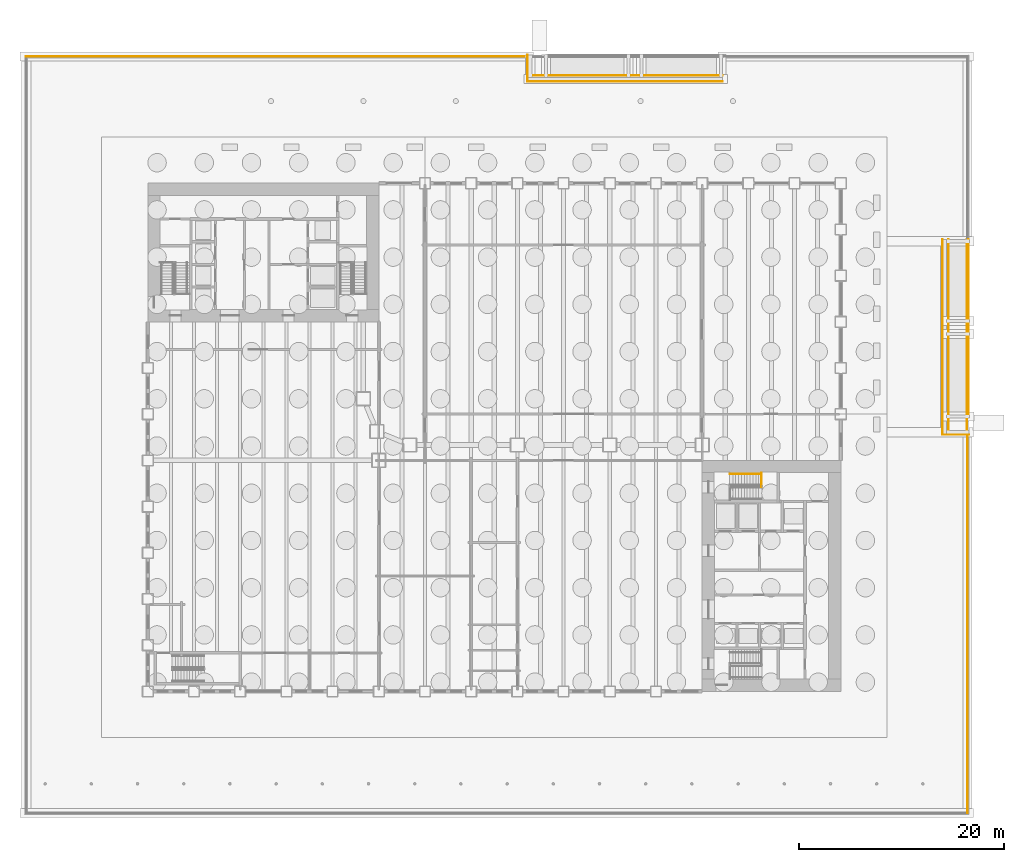
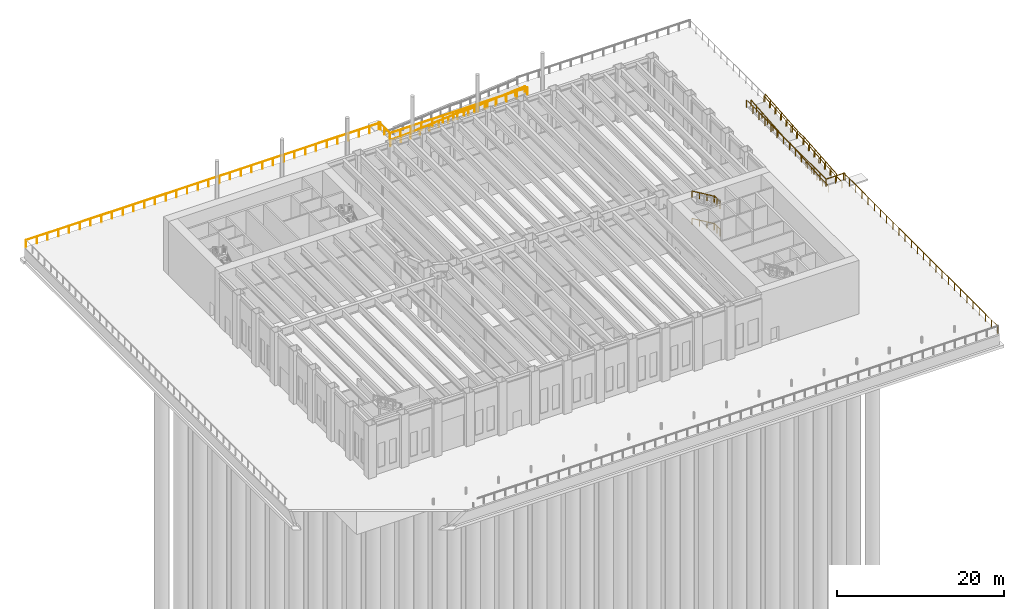
# One storey, part 21 of 26: 12 railings.
"""IFC4 building model written with IfcOpenShell, lengths in metres."""

import ifcopenshell
import ifcopenshell.guid

model = None  # the IFC model being written
_history = None  # IfcOwnerHistory: only IFC2X3 demands one
_inside = {}  # id of a spatial element -> (the spatial element, [elements in it])
_under = {}  # id of a project, library or spatial element -> (it, [spatial elements below it])
_declared = {}  # id of a project -> (the project, [libraries it declares])
_typed = {}  # id of a type object -> (the type object, [elements of that type])
_made_of = {}  # id of a material, layer set ... -> (it, [elements and type objects made of it])


def new_model(schema):
    """Start an empty IFC model of exactly this schema.

    Asked for "IFC4X3", IfcOpenShell would pick the latest addendum, in which some entities
    have other attributes; the version numbers below select the first issue.
    IFC2X3 requires an IfcOwnerHistory on every rooted entity: one is made here for all.
    """
    global model, _history
    if schema == "IFC4X3":
        model = ifcopenshell.file(schema_version=(4, 3, 0, 0))
    else:
        model = ifcopenshell.file(schema=schema)
    _inside.clear()
    _under.clear()
    _declared.clear()
    _typed.clear()
    _made_of.clear()
    _history = None
    if model.schema == "IFC2X3":
        org = make("IfcOrganization", Name="unknown")
        user = make(
            "IfcPersonAndOrganization",
            ThePerson=make("IfcPerson", FamilyName="unknown"),
            TheOrganization=org,
        )
        app = make(
            "IfcApplication",
            ApplicationDeveloper=org,
            Version="unknown",
            ApplicationFullName="unknown",
            ApplicationIdentifier="unknown",
        )
        _history = make(
            "IfcOwnerHistory",
            OwningUser=user,
            OwningApplication=app,
            ChangeAction="ADDED",
            CreationDate=0,
        )
    return model


def make(cls, **values):
    """One entity of the class cls with the attributes given. An attribute that is None is left unset."""
    return model.create_entity(
        cls, **{name: value for name, value in values.items() if value is not None}
    )


def rooted(cls, **values):
    """An entity with a GlobalId (a new one), such as an element, a storey or a relation."""
    return make(cls, GlobalId=ifcopenshell.guid.new(), OwnerHistory=_history, **values)


def si_unit(unit_type, name, prefix=None):
    """IfcSIUnit, for example si_unit("LENGTHUNIT", "METRE", prefix="MILLI")."""
    return make("IfcSIUnit", UnitType=unit_type, Prefix=prefix, Name=name)


def assignment(units):
    """IfcUnitAssignment: the units of a project."""
    return None if units is None else make("IfcUnitAssignment", Units=units)


def point(xyz):
    """IfcCartesianPoint."""
    return None if xyz is None else make("IfcCartesianPoint", Coordinates=xyz)


def direction(xyz):
    """IfcDirection."""
    return None if xyz is None else make("IfcDirection", DirectionRatios=xyz)


def frame(location, z_axis=None, x_axis=None):
    """IfcAxis2Placement3D, a coordinate frame: its origin and axes. An axis left out is left unset."""
    return make(
        "IfcAxis2Placement3D",
        Location=point(location),
        Axis=direction(z_axis),
        RefDirection=direction(x_axis),
    )


def frame_2d(location, x_axis=None):
    """IfcAxis2Placement2D, a coordinate frame in the plane: its origin and x axis."""
    return make(
        "IfcAxis2Placement2D", Location=point(location), RefDirection=direction(x_axis)
    )


def origin():
    """The frame at (0, 0, 0) with its axes left unset."""
    return frame((0.0, 0.0, 0.0))


def origin_2d():
    """The frame at (0, 0) in the plane with its x axis left unset."""
    return frame_2d((0.0, 0.0))


def place(relative_to, where):
    """IfcLocalPlacement: puts the frame where relative to a parent placement (None: the world)."""
    return make(
        "IfcLocalPlacement", PlacementRelTo=relative_to, RelativePlacement=where
    )


def context(
    kind, dimensions, precision=None, world=None, true_north=None, identifier=None
):
    """IfcGeometricRepresentationContext, for example the 3D "Model" context."""
    return make(
        "IfcGeometricRepresentationContext",
        ContextIdentifier=identifier,
        ContextType=kind,
        CoordinateSpaceDimension=dimensions,
        Precision=precision,
        WorldCoordinateSystem=world,
        TrueNorth=true_north,
    )


def subcontext(parent, identifier, kind, view, scale=None):
    """IfcGeometricRepresentationSubContext, for example "Body" below "Model"."""
    return make(
        "IfcGeometricRepresentationSubContext",
        ContextIdentifier=identifier,
        ContextType=kind,
        ParentContext=parent,
        TargetScale=scale,
        TargetView=view,
    )


def project(units=None, contexts=None):
    """IfcProject with its units and contexts."""
    return rooted(
        "IfcProject",
        Name="project",
        RepresentationContexts=contexts,
        UnitsInContext=assignment(units),
    )


def spatial(cls, under=None, at=None, **own):
    """A site, building, storey or space (cls), placed at a placement, below another one or the project."""
    s = rooted(cls, ObjectPlacement=at, **own)
    if under is not None:
        _under.setdefault(under.id(), (under, []))[1].append(s)
    return s


def profile(cls, at=None, kind="AREA", **sizes):
    """A parametric profile (cls). Its sizes go by their IFC names, for example OverallWidth=200.0."""
    return make(cls, ProfileType=kind, Position=at, **sizes)


def rectangle(**sizes):
    """IfcRectangleProfileDef."""
    return profile("IfcRectangleProfileDef", **sizes)


def extrude(swept, where, along, depth):
    """IfcExtrudedAreaSolid: the profile swept, set in the frame where, extruded along a direction by depth."""
    return make(
        "IfcExtrudedAreaSolid",
        SweptArea=swept,
        Position=where,
        ExtrudedDirection=direction(along),
        Depth=depth,
    )


def shape(context_of_items, identifier, shape_type, items):
    """IfcShapeRepresentation: the items that make up one representation, for example the "Body"."""
    return make(
        "IfcShapeRepresentation",
        ContextOfItems=context_of_items,
        RepresentationIdentifier=identifier,
        RepresentationType=shape_type,
        Items=items,
    )


def material(Name=None, Category=None):
    """IfcMaterial."""
    return make("IfcMaterial", Name=Name, Category=Category)


def made_of(thing, what):
    """Note that an element or type object is made of a material, layer set ...; save() writes the relation."""
    if what is not None:
        _made_of.setdefault(what.id(), (what, []))[1].append(thing)
    return thing


def type_object(cls, material=None, **own):
    """A type object (cls), such as IfcWallType, which elements share."""
    return made_of(rooted(cls, **own), material)


def element(
    cls,
    number,
    at=None,
    inside=None,
    cuts=None,
    type_object=None,
    material=None,
    context=None,
    identifier="Body",
    shape_type=None,
    held_by="IfcProductDefinitionShape",
    body=None,
    shapes=None,
    **own,
):
    """One element of the class cls, such as IfcWall. Its Tag is "e" and its number.

    at: its placement. inside: the storey or other place that contains it. cuts: it is an
    opening in that element (IfcRelVoidsElement). A single representation is given by context,
    identifier, shape_type and body (its items); several are given by shapes. held_by: the class
    of the entity that holds the representations. save() writes the other relations.
    """
    e = rooted(cls, Tag="e%d" % number, ObjectPlacement=at, **own)
    if body is not None:
        shapes = [shape(context, identifier, shape_type, body)]
    if shapes is not None:
        e.Representation = make(held_by, Representations=shapes)
    if inside is not None:
        _inside.setdefault(inside.id(), (inside, []))[1].append(e)
    if cuts is not None:
        rooted(
            "IfcRelVoidsElement", RelatingBuildingElement=cuts, RelatedOpeningElement=e
        )
    if type_object is not None:
        _typed.setdefault(type_object.id(), (type_object, []))[1].append(e)
    return made_of(e, material)


def aggregate(whole, parts):
    """IfcRelAggregates: a whole, such as a stair, and the parts it consists of."""
    return rooted("IfcRelAggregates", RelatingObject=whole, RelatedObjects=parts)


def save(model, path):
    """Write the relations noted so far, then the file.

    IfcRelAggregates (storeys below a building ...), IfcRelContainedInSpatialStructure (elements
    in a storey), IfcRelDefinesByType, IfcRelAssociatesMaterial and IfcRelDeclares: one each for
    every whole, place, type object, material and project.
    """
    for whole, parts in _under.values():
        aggregate(whole, parts)
    for where, things in _inside.values():
        rooted(
            "IfcRelContainedInSpatialStructure",
            RelatedElements=things,
            RelatingStructure=where,
        )
    for kind, things in _typed.values():
        rooted("IfcRelDefinesByType", RelatedObjects=things, RelatingType=kind)
    for what, things in _made_of.values():
        rooted("IfcRelAssociatesMaterial", RelatedObjects=things, RelatingMaterial=what)
    for by, libraries in _declared.values():
        rooted("IfcRelDeclares", RelatingContext=by, RelatedDefinitions=libraries)
    model.write(path)


model = new_model("IFC4")

# Units and contexts
model_context = context("Model", 3, precision=1e-05, world=origin(), true_north=direction((0.0, 1.0)))
body_context = subcontext(model_context, "Body", "Model", "MODEL_VIEW")
ifc_project = project(units=[si_unit("LENGTHUNIT", "METRE"), si_unit("AREAUNIT", "SQUARE_METRE"), si_unit("VOLUMEUNIT", "CUBIC_METRE"), si_unit("PLANEANGLEUNIT", "RADIAN"), si_unit("MASSUNIT", "GRAM", prefix="KILO")], contexts=[model_context])

# Site, building, storey
site_placement = place(None, origin())
site = spatial("IfcSite", under=ifc_project, at=site_placement, CompositionType="ELEMENT")
building_placement = place(site_placement, origin())
building = spatial("IfcBuilding", under=site, at=building_placement, Name="Sennacour Bend Tower", CompositionType="ELEMENT")
storey_placement = place(building_placement, origin())
storey = spatial("IfcBuildingStorey", under=building, at=storey_placement, Name="L00", CompositionType="ELEMENT", Elevation=0.0)

# Railings
ifc_material_1 = material(Name="Stainless steel 316", Category="steel")
railing_type_1 = type_object("IfcRailingType", Name="PLAZA EDGE GUARD 1100", PredefinedType="GUARDRAIL", material=ifc_material_1)
railing_1_placement = place(storey_placement, frame((79.85009765625, -11.85009765625, 0.0)))
element("IfcRailing", 1, at=railing_1_placement, inside=storey, type_object=railing_type_1, Name="Plaza edge guard east", PredefinedType="GUARDRAIL", context=body_context, shape_type="SweptSolid", body=[
    extrude(rectangle(XDim=0.048095703125, YDim=0.048095703125, at=origin_2d()), frame((0.0, 0.0, 1.076171875), z_axis=(0.0, 1.0, 0.0), x_axis=(-1.0, 0.0, 0.0)), (0.0, 0.0, 1.0), 36.9501953125),
    extrude(rectangle(XDim=0.0419921875, YDim=0.0419921875, at=origin_2d()), origin(), (0.0, 0.0, 1.0), 1.052001953125),
    extrude(rectangle(XDim=0.0419921875, YDim=0.0419921875, at=origin_2d()), frame((0.0, 1.47802734375, 0.0)), (0.0, 0.0, 1.0), 1.052001953125),
    extrude(rectangle(XDim=0.0419921875, YDim=0.0419921875, at=origin_2d()), frame((0.0, 2.9560546875, 0.0)), (0.0, 0.0, 1.0), 1.052001953125),
    extrude(rectangle(XDim=0.0419921875, YDim=0.0419921875, at=origin_2d()), frame((0.0, 4.43408203125, 0.0)), (0.0, 0.0, 1.0), 1.052001953125),
    extrude(rectangle(XDim=0.0419921875, YDim=0.0419921875, at=origin_2d()), frame((0.0, 5.912109375, 0.0)), (0.0, 0.0, 1.0), 1.052001953125),
    extrude(rectangle(XDim=0.0419921875, YDim=0.0419921875, at=origin_2d()), frame((0.0, 7.39013671875, 0.0)), (0.0, 0.0, 1.0), 1.052001953125),
    extrude(rectangle(XDim=0.0419921875, YDim=0.0419921875, at=origin_2d()), frame((0.0, 8.8681640625, 0.0)), (0.0, 0.0, 1.0), 1.052001953125),
    extrude(rectangle(XDim=0.0419921875, YDim=0.0419921875, at=origin_2d()), frame((0.0, 10.345947265625, 0.0)), (0.0, 0.0, 1.0), 1.052001953125),
    extrude(rectangle(XDim=0.0419921875, YDim=0.0419921875, at=origin_2d()), frame((0.0, 11.823974609375, 0.0)), (0.0, 0.0, 1.0), 1.052001953125),
    extrude(rectangle(XDim=0.0419921875, YDim=0.0419921875, at=origin_2d()), frame((0.0, 13.302001953125, 0.0)), (0.0, 0.0, 1.0), 1.052001953125),
    extrude(rectangle(XDim=0.0419921875, YDim=0.0419921875, at=origin_2d()), frame((0.0, 14.780029296875, 0.0)), (0.0, 0.0, 1.0), 1.052001953125),
    extrude(rectangle(XDim=0.0419921875, YDim=0.0419921875, at=origin_2d()), frame((0.0, 16.258056640625, 0.0)), (0.0, 0.0, 1.0), 1.052001953125),
    extrude(rectangle(XDim=0.0419921875, YDim=0.0419921875, at=origin_2d()), frame((0.0, 17.736083984375, 0.0)), (0.0, 0.0, 1.0), 1.052001953125),
    extrude(rectangle(XDim=0.0419921875, YDim=0.0419921875, at=origin_2d()), frame((0.0, 19.214111328125, 0.0)), (0.0, 0.0, 1.0), 1.052001953125),
    extrude(rectangle(XDim=0.0419921875, YDim=0.0419921875, at=origin_2d()), frame((0.0, 20.692138671875, 0.0)), (0.0, 0.0, 1.0), 1.052001953125),
    extrude(rectangle(XDim=0.0419921875, YDim=0.0419921875, at=origin_2d()), frame((0.0, 22.170166015625, 0.0)), (0.0, 0.0, 1.0), 1.052001953125),
    extrude(rectangle(XDim=0.0419921875, YDim=0.0419921875, at=origin_2d()), frame((0.0, 23.648193359375, 0.0)), (0.0, 0.0, 1.0), 1.052001953125),
    extrude(rectangle(XDim=0.0419921875, YDim=0.0419921875, at=origin_2d()), frame((0.0, 25.126220703125, 0.0)), (0.0, 0.0, 1.0), 1.052001953125),
    extrude(rectangle(XDim=0.0419921875, YDim=0.0419921875, at=origin_2d()), frame((0.0, 26.604248046875, 0.0)), (0.0, 0.0, 1.0), 1.052001953125),
    extrude(rectangle(XDim=0.0419921875, YDim=0.0419921875, at=origin_2d()), frame((0.0, 28.08203125, 0.0)), (0.0, 0.0, 1.0), 1.052001953125),
    extrude(rectangle(XDim=0.0419921875, YDim=0.0419921875, at=origin_2d()), frame((0.0, 29.56005859375, 0.0)), (0.0, 0.0, 1.0), 1.052001953125),
    extrude(rectangle(XDim=0.0419921875, YDim=0.0419921875, at=origin_2d()), frame((0.0, 31.0380859375, 0.0)), (0.0, 0.0, 1.0), 1.052001953125),
    extrude(rectangle(XDim=0.0419921875, YDim=0.0419921875, at=origin_2d()), frame((0.0, 32.51611328125, 0.0)), (0.0, 0.0, 1.0), 1.052001953125),
    extrude(rectangle(XDim=0.0419921875, YDim=0.0419921875, at=origin_2d()), frame((0.0, 33.994140625, 0.0)), (0.0, 0.0, 1.0), 1.052001953125),
    extrude(rectangle(XDim=0.0419921875, YDim=0.0419921875, at=origin_2d()), frame((0.0, 35.47216796875, 0.0)), (0.0, 0.0, 1.0), 1.052001953125),
    extrude(rectangle(XDim=0.0419921875, YDim=0.0419921875, at=origin_2d()), frame((0.0, 36.9501953125, 0.0)), (0.0, 0.0, 1.0), 1.052001953125),
])
railing_2_placement = place(storey_placement, frame((-11.85009765625, 61.85009765625, 0.0)))
element("IfcRailing", 2, at=railing_2_placement, inside=storey, type_object=railing_type_1, Name="Plaza edge guard north", PredefinedType="GUARDRAIL", context=body_context, shape_type="SweptSolid", body=[
    extrude(rectangle(XDim=0.048095703125, YDim=0.048095703125, at=origin_2d()), frame((0.0, 0.0, 1.076171875), z_axis=(1.0, 0.0, 0.0), x_axis=(0.0, 1.0, 0.0)), (0.0, 0.0, 1.0), 48.9501953125),
    extrude(rectangle(XDim=0.0419921875, YDim=0.0419921875, at=origin_2d()), origin(), (0.0, 0.0, 1.0), 1.052001953125),
    extrude(rectangle(XDim=0.0419921875, YDim=0.0419921875, at=origin_2d()), frame((1.4833984375, 0.0, 0.0)), (0.0, 0.0, 1.0), 1.052001953125),
    extrude(rectangle(XDim=0.0419921875, YDim=0.0419921875, at=origin_2d()), frame((2.966796875, 0.0, 0.0)), (0.0, 0.0, 1.0), 1.052001953125),
    extrude(rectangle(XDim=0.0419921875, YDim=0.0419921875, at=origin_2d()), frame((4.449951171875, 0.0, 0.0)), (0.0, 0.0, 1.0), 1.052001953125),
    extrude(rectangle(XDim=0.0419921875, YDim=0.0419921875, at=origin_2d()), frame((5.933349609375, 0.0, 0.0)), (0.0, 0.0, 1.0), 1.052001953125),
    extrude(rectangle(XDim=0.0419921875, YDim=0.0419921875, at=origin_2d()), frame((7.416748046875, 0.0, 0.0)), (0.0, 0.0, 1.0), 1.052001953125),
    extrude(rectangle(XDim=0.0419921875, YDim=0.0419921875, at=origin_2d()), frame((8.900146484375, 0.0, 0.0)), (0.0, 0.0, 1.0), 1.052001953125),
    extrude(rectangle(XDim=0.0419921875, YDim=0.0419921875, at=origin_2d()), frame((10.38330078125, 0.0, 0.0)), (0.0, 0.0, 1.0), 1.052001953125),
    extrude(rectangle(XDim=0.0419921875, YDim=0.0419921875, at=origin_2d()), frame((11.86669921875, 0.0, 0.0)), (0.0, 0.0, 1.0), 1.052001953125),
    extrude(rectangle(XDim=0.0419921875, YDim=0.0419921875, at=origin_2d()), frame((13.35009765625, 0.0, 0.0)), (0.0, 0.0, 1.0), 1.052001953125),
    extrude(rectangle(XDim=0.0419921875, YDim=0.0419921875, at=origin_2d()), frame((14.83349609375, 0.0, 0.0)), (0.0, 0.0, 1.0), 1.052001953125),
    extrude(rectangle(XDim=0.0419921875, YDim=0.0419921875, at=origin_2d()), frame((16.316650390625, 0.0, 0.0)), (0.0, 0.0, 1.0), 1.052001953125),
    extrude(rectangle(XDim=0.0419921875, YDim=0.0419921875, at=origin_2d()), frame((17.800048828125, 0.0, 0.0)), (0.0, 0.0, 1.0), 1.052001953125),
    extrude(rectangle(XDim=0.0419921875, YDim=0.0419921875, at=origin_2d()), frame((19.283447265625, 0.0, 0.0)), (0.0, 0.0, 1.0), 1.052001953125),
    extrude(rectangle(XDim=0.0419921875, YDim=0.0419921875, at=origin_2d()), frame((20.766845703125, 0.0, 0.0)), (0.0, 0.0, 1.0), 1.052001953125),
    extrude(rectangle(XDim=0.0419921875, YDim=0.0419921875, at=origin_2d()), frame((22.25, 0.0, 0.0)), (0.0, 0.0, 1.0), 1.052001953125),
    extrude(rectangle(XDim=0.0419921875, YDim=0.0419921875, at=origin_2d()), frame((23.7333984375, 0.0, 0.0)), (0.0, 0.0, 1.0), 1.052001953125),
    extrude(rectangle(XDim=0.0419921875, YDim=0.0419921875, at=origin_2d()), frame((25.216796875, 0.0, 0.0)), (0.0, 0.0, 1.0), 1.052001953125),
    extrude(rectangle(XDim=0.0419921875, YDim=0.0419921875, at=origin_2d()), frame((26.7001953125, 0.0, 0.0)), (0.0, 0.0, 1.0), 1.052001953125),
    extrude(rectangle(XDim=0.0419921875, YDim=0.0419921875, at=origin_2d()), frame((28.183349609375, 0.0, 0.0)), (0.0, 0.0, 1.0), 1.052001953125),
    extrude(rectangle(XDim=0.0419921875, YDim=0.0419921875, at=origin_2d()), frame((29.666748046875, 0.0, 0.0)), (0.0, 0.0, 1.0), 1.052001953125),
    extrude(rectangle(XDim=0.0419921875, YDim=0.0419921875, at=origin_2d()), frame((31.150146484375, 0.0, 0.0)), (0.0, 0.0, 1.0), 1.052001953125),
    extrude(rectangle(XDim=0.0419921875, YDim=0.0419921875, at=origin_2d()), frame((32.633544921875, 0.0, 0.0)), (0.0, 0.0, 1.0), 1.052001953125),
    extrude(rectangle(XDim=0.0419921875, YDim=0.0419921875, at=origin_2d()), frame((34.11669921875, 0.0, 0.0)), (0.0, 0.0, 1.0), 1.052001953125),
    extrude(rectangle(XDim=0.0419921875, YDim=0.0419921875, at=origin_2d()), frame((35.60009765625, 0.0, 0.0)), (0.0, 0.0, 1.0), 1.052001953125),
    extrude(rectangle(XDim=0.0419921875, YDim=0.0419921875, at=origin_2d()), frame((37.08349609375, 0.0, 0.0)), (0.0, 0.0, 1.0), 1.052001953125),
    extrude(rectangle(XDim=0.0419921875, YDim=0.0419921875, at=origin_2d()), frame((38.56689453125, 0.0, 0.0)), (0.0, 0.0, 1.0), 1.052001953125),
    extrude(rectangle(XDim=0.0419921875, YDim=0.0419921875, at=origin_2d()), frame((40.050048828125, 0.0, 0.0)), (0.0, 0.0, 1.0), 1.052001953125),
    extrude(rectangle(XDim=0.0419921875, YDim=0.0419921875, at=origin_2d()), frame((41.533447265625, 0.0, 0.0)), (0.0, 0.0, 1.0), 1.052001953125),
    extrude(rectangle(XDim=0.0419921875, YDim=0.0419921875, at=origin_2d()), frame((43.016845703125, 0.0, 0.0)), (0.0, 0.0, 1.0), 1.052001953125),
    extrude(rectangle(XDim=0.0419921875, YDim=0.0419921875, at=origin_2d()), frame((44.500244140625, 0.0, 0.0)), (0.0, 0.0, 1.0), 1.052001953125),
    extrude(rectangle(XDim=0.0419921875, YDim=0.0419921875, at=origin_2d()), frame((45.9833984375, 0.0, 0.0)), (0.0, 0.0, 1.0), 1.052001953125),
    extrude(rectangle(XDim=0.0419921875, YDim=0.0419921875, at=origin_2d()), frame((47.466796875, 0.0, 0.0)), (0.0, 0.0, 1.0), 1.052001953125),
    extrude(rectangle(XDim=0.0419921875, YDim=0.0419921875, at=origin_2d()), frame((48.9501953125, 0.0, 0.0)), (0.0, 0.0, 1.0), 1.052001953125),
])
railing_3_placement = place(storey_placement, frame((77.39990234375, 44.0, 0.0)))
element("IfcRailing", 3, at=railing_3_placement, inside=storey, type_object=railing_type_1, Name="Plaza edge guard East ramp", PredefinedType="GUARDRAIL", context=body_context, shape_type="SweptSolid", body=[
    extrude(rectangle(XDim=0.048095703125, YDim=0.048095703125, at=origin_2d()), frame((0.0, 0.0, 1.076171875), z_axis=(0.0, -1.0, 0.0), x_axis=(1.0, 0.0, 0.0)), (0.0, 0.0, 1.0), 19.0),
    extrude(rectangle(XDim=0.048095703125, YDim=0.048095703125, at=origin_2d()), frame((0.0, -19.0, 1.076171875), z_axis=(1.0, 0.0, 0.0), x_axis=(0.0, 1.0, 0.0)), (0.0, 0.0, 1.0), 2.60009765625),
    extrude(rectangle(XDim=0.0419921875, YDim=0.0419921875, at=origin_2d()), origin(), (0.0, 0.0, 1.0), 1.052001953125),
    extrude(rectangle(XDim=0.0419921875, YDim=0.0419921875, at=origin_2d()), frame((0.0, -1.46142578125, 0.0)), (0.0, 0.0, 1.0), 1.052001953125),
    extrude(rectangle(XDim=0.0419921875, YDim=0.0419921875, at=origin_2d()), frame((0.0, -2.923095703125, 0.0)), (0.0, 0.0, 1.0), 1.052001953125),
    extrude(rectangle(XDim=0.0419921875, YDim=0.0419921875, at=origin_2d()), frame((0.0, -4.384521484375, 0.0)), (0.0, 0.0, 1.0), 1.052001953125),
    extrude(rectangle(XDim=0.0419921875, YDim=0.0419921875, at=origin_2d()), frame((0.0, -5.84619140625, 0.0)), (0.0, 0.0, 1.0), 1.052001953125),
    extrude(rectangle(XDim=0.0419921875, YDim=0.0419921875, at=origin_2d()), frame((0.0, -7.3076171875, 0.0)), (0.0, 0.0, 1.0), 1.052001953125),
    extrude(rectangle(XDim=0.0419921875, YDim=0.0419921875, at=origin_2d()), frame((0.0, -8.769287109375, 0.0)), (0.0, 0.0, 1.0), 1.052001953125),
    extrude(rectangle(XDim=0.0419921875, YDim=0.0419921875, at=origin_2d()), frame((0.0, -10.230712890625, 0.0)), (0.0, 0.0, 1.0), 1.052001953125),
    extrude(rectangle(XDim=0.0419921875, YDim=0.0419921875, at=origin_2d()), frame((0.0, -11.6923828125, 0.0)), (0.0, 0.0, 1.0), 1.052001953125),
    extrude(rectangle(XDim=0.0419921875, YDim=0.0419921875, at=origin_2d()), frame((0.0, -13.15380859375, 0.0)), (0.0, 0.0, 1.0), 1.052001953125),
    extrude(rectangle(XDim=0.0419921875, YDim=0.0419921875, at=origin_2d()), frame((0.0, -14.615478515625, 0.0)), (0.0, 0.0, 1.0), 1.052001953125),
    extrude(rectangle(XDim=0.0419921875, YDim=0.0419921875, at=origin_2d()), frame((0.0, -16.076904296875, 0.0)), (0.0, 0.0, 1.0), 1.052001953125),
    extrude(rectangle(XDim=0.0419921875, YDim=0.0419921875, at=origin_2d()), frame((0.0, -17.53857421875, 0.0)), (0.0, 0.0, 1.0), 1.052001953125),
    extrude(rectangle(XDim=0.0419921875, YDim=0.0419921875, at=origin_2d()), frame((0.0, -19.0, 0.0)), (0.0, 0.0, 1.0), 1.052001953125),
    extrude(rectangle(XDim=0.0419921875, YDim=0.0419921875, at=origin_2d()), frame((1.300048828125, -19.0, 0.0)), (0.0, 0.0, 1.0), 1.052001953125),
    extrude(rectangle(XDim=0.0419921875, YDim=0.0419921875, at=origin_2d()), frame((2.60009765625, -19.0, 0.0)), (0.0, 0.0, 1.0), 1.052001953125),
])
railing_4_placement = place(storey_placement, frame((79.949951171875, 44.0, 0.0)))
element("IfcRailing", 4, at=railing_4_placement, inside=storey, type_object=railing_type_1, Name="Ramp guard East", PredefinedType="GUARDRAIL", context=body_context, shape_type="SweptSolid", body=[
    extrude(rectangle(XDim=0.048095703125, YDim=0.048095703125, at=origin_2d()), frame((0.0, 0.0, 1.076171875), z_axis=(0.0, -0.996546833741, -0.083032572895), x_axis=(1.0, 0.0, 0.0)), (0.0, 0.0, 1.0), 7.8271484375),
    extrude(rectangle(XDim=0.048095703125, YDim=0.048095703125, at=origin_2d()), frame((0.0, -7.800048828125, 0.42626953125), z_axis=(0.0, -1.0, 0.0), x_axis=(1.0, 0.0, 0.0)), (0.0, 0.0, 1.0), 1.5),
    extrude(rectangle(XDim=0.048095703125, YDim=0.048095703125, at=origin_2d()), frame((0.0, -9.300048828125, 0.42626953125), z_axis=(0.0, -0.996544252274, -0.083063549526), x_axis=(1.0, 0.0, 0.0)), (0.0, 0.0, 1.0), 7.8271484375),
    extrude(rectangle(XDim=0.0419921875, YDim=0.0419921875, at=origin_2d()), origin(), (0.0, 0.0, 1.0), 1.052001953125),
    extrude(rectangle(XDim=0.0419921875, YDim=0.0419921875, at=origin_2d()), frame((0.0, -1.300048828125, -0.1083984375)), (0.0, 0.0, 1.0), 1.052001953125),
    extrude(rectangle(XDim=0.0419921875, YDim=0.0419921875, at=origin_2d()), frame((0.0, -2.60009765625, -0.216552734375)), (0.0, 0.0, 1.0), 1.052001953125),
    extrude(rectangle(XDim=0.0419921875, YDim=0.0419921875, at=origin_2d()), frame((0.0, -3.89990234375, -0.324951171875)), (0.0, 0.0, 1.0), 1.052001953125),
    extrude(rectangle(XDim=0.0419921875, YDim=0.0419921875, at=origin_2d()), frame((0.0, -5.199951171875, -0.433349609375)), (0.0, 0.0, 1.0), 1.052001953125),
    extrude(rectangle(XDim=0.0419921875, YDim=0.0419921875, at=origin_2d()), frame((0.0, -6.5, -0.54150390625)), (0.0, 0.0, 1.0), 1.052001953125),
    extrude(rectangle(XDim=0.0419921875, YDim=0.0419921875, at=origin_2d()), frame((0.0, -7.800048828125, -0.64990234375)), (0.0, 0.0, 1.0), 1.052001953125),
    extrude(rectangle(XDim=0.0419921875, YDim=0.0419921875, at=origin_2d()), frame((0.0, -9.300048828125, -0.64990234375)), (0.0, 0.0, 1.0), 1.052001953125),
    extrude(rectangle(XDim=0.0419921875, YDim=0.0419921875, at=origin_2d()), frame((0.0, -10.60009765625, -0.75830078125)), (0.0, 0.0, 1.0), 1.052001953125),
    extrude(rectangle(XDim=0.0419921875, YDim=0.0419921875, at=origin_2d()), frame((0.0, -11.900146484375, -0.86669921875)), (0.0, 0.0, 1.0), 1.052001953125),
    extrude(rectangle(XDim=0.0419921875, YDim=0.0419921875, at=origin_2d()), frame((0.0, -13.2001953125, -0.97509765625)), (0.0, 0.0, 1.0), 1.052001953125),
    extrude(rectangle(XDim=0.0419921875, YDim=0.0419921875, at=origin_2d()), frame((0.0, -14.5, -1.083251953125)), (0.0, 0.0, 1.0), 1.052001953125),
    extrude(rectangle(XDim=0.0419921875, YDim=0.0419921875, at=origin_2d()), frame((0.0, -15.800048828125, -1.191650390625)), (0.0, 0.0, 1.0), 1.052001953125),
    extrude(rectangle(XDim=0.0419921875, YDim=0.0419921875, at=origin_2d()), frame((0.0, -17.10009765625, -1.300048828125)), (0.0, 0.0, 1.0), 1.052001953125),
])
railing_5_placement = place(storey_placement, frame((56.0, 59.39990234375, 0.0)))
element("IfcRailing", 5, at=railing_5_placement, inside=storey, type_object=railing_type_1, Name="Plaza edge guard North ramp", PredefinedType="GUARDRAIL", context=body_context, shape_type="SweptSolid", body=[
    extrude(rectangle(XDim=0.048095703125, YDim=0.048095703125, at=origin_2d()), frame((0.0, 0.0, 1.076171875), z_axis=(-1.0, 0.0, 0.0), x_axis=(0.0, -1.0, 0.0)), (0.0, 0.0, 1.0), 19.0),
    extrude(rectangle(XDim=0.048095703125, YDim=0.048095703125, at=origin_2d()), frame((-19.0, 0.0, 1.076171875), z_axis=(0.0, 1.0, 0.0), x_axis=(-1.0, 0.0, 0.0)), (0.0, 0.0, 1.0), 2.60009765625),
    extrude(rectangle(XDim=0.0419921875, YDim=0.0419921875, at=origin_2d()), origin(), (0.0, 0.0, 1.0), 1.052001953125),
    extrude(rectangle(XDim=0.0419921875, YDim=0.0419921875, at=origin_2d()), frame((-1.46142578125, 0.0, 0.0)), (0.0, 0.0, 1.0), 1.052001953125),
    extrude(rectangle(XDim=0.0419921875, YDim=0.0419921875, at=origin_2d()), frame((-2.923095703125, 0.0, 0.0)), (0.0, 0.0, 1.0), 1.052001953125),
    extrude(rectangle(XDim=0.0419921875, YDim=0.0419921875, at=origin_2d()), frame((-4.384521484375, 0.0, 0.0)), (0.0, 0.0, 1.0), 1.052001953125),
    extrude(rectangle(XDim=0.0419921875, YDim=0.0419921875, at=origin_2d()), frame((-5.84619140625, 0.0, 0.0)), (0.0, 0.0, 1.0), 1.052001953125),
    extrude(rectangle(XDim=0.0419921875, YDim=0.0419921875, at=origin_2d()), frame((-7.3076171875, 0.0, 0.0)), (0.0, 0.0, 1.0), 1.052001953125),
    extrude(rectangle(XDim=0.0419921875, YDim=0.0419921875, at=origin_2d()), frame((-8.769287109375, 0.0, 0.0)), (0.0, 0.0, 1.0), 1.052001953125),
    extrude(rectangle(XDim=0.0419921875, YDim=0.0419921875, at=origin_2d()), frame((-10.230712890625, 0.0, 0.0)), (0.0, 0.0, 1.0), 1.052001953125),
    extrude(rectangle(XDim=0.0419921875, YDim=0.0419921875, at=origin_2d()), frame((-11.6923828125, 0.0, 0.0)), (0.0, 0.0, 1.0), 1.052001953125),
    extrude(rectangle(XDim=0.0419921875, YDim=0.0419921875, at=origin_2d()), frame((-13.15380859375, 0.0, 0.0)), (0.0, 0.0, 1.0), 1.052001953125),
    extrude(rectangle(XDim=0.0419921875, YDim=0.0419921875, at=origin_2d()), frame((-14.615478515625, 0.0, 0.0)), (0.0, 0.0, 1.0), 1.052001953125),
    extrude(rectangle(XDim=0.0419921875, YDim=0.0419921875, at=origin_2d()), frame((-16.076904296875, 0.0, 0.0)), (0.0, 0.0, 1.0), 1.052001953125),
    extrude(rectangle(XDim=0.0419921875, YDim=0.0419921875, at=origin_2d()), frame((-17.53857421875, 0.0, 0.0)), (0.0, 0.0, 1.0), 1.052001953125),
    extrude(rectangle(XDim=0.0419921875, YDim=0.0419921875, at=origin_2d()), frame((-19.0, 0.0, 0.0)), (0.0, 0.0, 1.0), 1.052001953125),
    extrude(rectangle(XDim=0.0419921875, YDim=0.0419921875, at=origin_2d()), frame((-19.0, 1.300048828125, 0.0)), (0.0, 0.0, 1.0), 1.052001953125),
    extrude(rectangle(XDim=0.0419921875, YDim=0.0419921875, at=origin_2d()), frame((-19.0, 2.60009765625, 0.0)), (0.0, 0.0, 1.0), 1.052001953125),
])
railing_type_2 = type_object("IfcRailingType", Name="RAMP HANDRAIL 900", PredefinedType="HANDRAIL", material=ifc_material_1)
railing_6_placement = place(storey_placement, frame((78.0, 44.0, 0.0)))
element("IfcRailing", 6, at=railing_6_placement, inside=storey, type_object=railing_type_2, Name="Ramp handrail plaza side", PredefinedType="HANDRAIL", context=body_context, shape_type="SweptSolid", body=[
    extrude(rectangle(XDim=0.048095703125, YDim=0.048095703125, at=origin_2d()), frame((0.0, 0.0, 0.8759765625), z_axis=(0.0, -0.996546833741, -0.083032572895), x_axis=(1.0, 0.0, 0.0)), (0.0, 0.0, 1.0), 7.8271484375),
    extrude(rectangle(XDim=0.048095703125, YDim=0.048095703125, at=origin_2d()), frame((0.0, -7.800048828125, 0.22607421875), z_axis=(0.0, -1.0, 0.0), x_axis=(1.0, 0.0, 0.0)), (0.0, 0.0, 1.0), 1.5),
    extrude(rectangle(XDim=0.048095703125, YDim=0.048095703125, at=origin_2d()), frame((0.0, -9.300048828125, 0.22607421875), z_axis=(0.0, -0.996544252274, -0.083063549526), x_axis=(1.0, 0.0, 0.0)), (0.0, 0.0, 1.0), 7.8271484375),
    extrude(rectangle(XDim=0.048095703125, YDim=0.048095703125, at=origin_2d()), frame((0.0, -17.10009765625, -0.42431640625), z_axis=(0.0, -1.0, 0.0), x_axis=(1.0, 0.0, 0.0)), (0.0, 0.0, 1.0), 1.5),
    extrude(rectangle(XDim=0.0419921875, YDim=0.0419921875, at=origin_2d()), origin(), (0.0, 0.0, 1.0), 0.851806640625),
    extrude(rectangle(XDim=0.0419921875, YDim=0.0419921875, at=origin_2d()), frame((0.0, -1.300048828125, -0.1083984375)), (0.0, 0.0, 1.0), 0.851806640625),
    extrude(rectangle(XDim=0.0419921875, YDim=0.0419921875, at=origin_2d()), frame((0.0, -2.60009765625, -0.216552734375)), (0.0, 0.0, 1.0), 0.851806640625),
    extrude(rectangle(XDim=0.0419921875, YDim=0.0419921875, at=origin_2d()), frame((0.0, -3.89990234375, -0.324951171875)), (0.0, 0.0, 1.0), 0.851806640625),
    extrude(rectangle(XDim=0.0419921875, YDim=0.0419921875, at=origin_2d()), frame((0.0, -5.199951171875, -0.433349609375)), (0.0, 0.0, 1.0), 0.851806640625),
    extrude(rectangle(XDim=0.0419921875, YDim=0.0419921875, at=origin_2d()), frame((0.0, -6.5, -0.54150390625)), (0.0, 0.0, 1.0), 0.851806640625),
    extrude(rectangle(XDim=0.0419921875, YDim=0.0419921875, at=origin_2d()), frame((0.0, -7.800048828125, -0.64990234375)), (0.0, 0.0, 1.0), 0.851806640625),
    extrude(rectangle(XDim=0.0419921875, YDim=0.0419921875, at=origin_2d()), frame((0.0, -9.300048828125, -0.64990234375)), (0.0, 0.0, 1.0), 0.851806640625),
    extrude(rectangle(XDim=0.0419921875, YDim=0.0419921875, at=origin_2d()), frame((0.0, -10.60009765625, -0.75830078125)), (0.0, 0.0, 1.0), 0.851806640625),
    extrude(rectangle(XDim=0.0419921875, YDim=0.0419921875, at=origin_2d()), frame((0.0, -11.900146484375, -0.86669921875)), (0.0, 0.0, 1.0), 0.851806640625),
    extrude(rectangle(XDim=0.0419921875, YDim=0.0419921875, at=origin_2d()), frame((0.0, -13.2001953125, -0.97509765625)), (0.0, 0.0, 1.0), 0.851806640625),
    extrude(rectangle(XDim=0.0419921875, YDim=0.0419921875, at=origin_2d()), frame((0.0, -14.5, -1.083251953125)), (0.0, 0.0, 1.0), 0.851806640625),
    extrude(rectangle(XDim=0.0419921875, YDim=0.0419921875, at=origin_2d()), frame((0.0, -15.800048828125, -1.191650390625)), (0.0, 0.0, 1.0), 0.851806640625),
    extrude(rectangle(XDim=0.0419921875, YDim=0.0419921875, at=origin_2d()), frame((0.0, -17.10009765625, -1.300048828125)), (0.0, 0.0, 1.0), 0.851806640625),
    extrude(rectangle(XDim=0.0419921875, YDim=0.0419921875, at=origin_2d()), frame((0.0, -18.60009765625, -1.300048828125)), (0.0, 0.0, 1.0), 0.851806640625),
])
railing_7_placement = place(storey_placement, frame((79.800048828125, 44.0, 0.0)))
element("IfcRailing", 7, at=railing_7_placement, inside=storey, type_object=railing_type_2, Name="Ramp handrail street side", PredefinedType="HANDRAIL", context=body_context, shape_type="SweptSolid", body=[
    extrude(rectangle(XDim=0.048095703125, YDim=0.048095703125, at=origin_2d()), frame((0.0, 0.0, 0.8759765625), z_axis=(0.0, -0.996546833741, -0.083032572895), x_axis=(1.0, 0.0, 0.0)), (0.0, 0.0, 1.0), 7.8271484375),
    extrude(rectangle(XDim=0.048095703125, YDim=0.048095703125, at=origin_2d()), frame((0.0, -7.800048828125, 0.22607421875), z_axis=(0.0, -1.0, 0.0), x_axis=(1.0, 0.0, 0.0)), (0.0, 0.0, 1.0), 1.5),
    extrude(rectangle(XDim=0.048095703125, YDim=0.048095703125, at=origin_2d()), frame((0.0, -9.300048828125, 0.22607421875), z_axis=(0.0, -0.996544252274, -0.083063549526), x_axis=(1.0, 0.0, 0.0)), (0.0, 0.0, 1.0), 7.8271484375),
    extrude(rectangle(XDim=0.048095703125, YDim=0.048095703125, at=origin_2d()), frame((0.0, -17.10009765625, -0.42431640625), z_axis=(0.0, -1.0, 0.0), x_axis=(1.0, 0.0, 0.0)), (0.0, 0.0, 1.0), 1.5),
    extrude(rectangle(XDim=0.0419921875, YDim=0.0419921875, at=origin_2d()), origin(), (0.0, 0.0, 1.0), 0.851806640625),
    extrude(rectangle(XDim=0.0419921875, YDim=0.0419921875, at=origin_2d()), frame((0.0, -1.300048828125, -0.1083984375)), (0.0, 0.0, 1.0), 0.851806640625),
    extrude(rectangle(XDim=0.0419921875, YDim=0.0419921875, at=origin_2d()), frame((0.0, -2.60009765625, -0.216552734375)), (0.0, 0.0, 1.0), 0.851806640625),
    extrude(rectangle(XDim=0.0419921875, YDim=0.0419921875, at=origin_2d()), frame((0.0, -3.89990234375, -0.324951171875)), (0.0, 0.0, 1.0), 0.851806640625),
    extrude(rectangle(XDim=0.0419921875, YDim=0.0419921875, at=origin_2d()), frame((0.0, -5.199951171875, -0.433349609375)), (0.0, 0.0, 1.0), 0.851806640625),
    extrude(rectangle(XDim=0.0419921875, YDim=0.0419921875, at=origin_2d()), frame((0.0, -6.5, -0.54150390625)), (0.0, 0.0, 1.0), 0.851806640625),
    extrude(rectangle(XDim=0.0419921875, YDim=0.0419921875, at=origin_2d()), frame((0.0, -7.800048828125, -0.64990234375)), (0.0, 0.0, 1.0), 0.851806640625),
    extrude(rectangle(XDim=0.0419921875, YDim=0.0419921875, at=origin_2d()), frame((0.0, -9.300048828125, -0.64990234375)), (0.0, 0.0, 1.0), 0.851806640625),
    extrude(rectangle(XDim=0.0419921875, YDim=0.0419921875, at=origin_2d()), frame((0.0, -10.60009765625, -0.75830078125)), (0.0, 0.0, 1.0), 0.851806640625),
    extrude(rectangle(XDim=0.0419921875, YDim=0.0419921875, at=origin_2d()), frame((0.0, -11.900146484375, -0.86669921875)), (0.0, 0.0, 1.0), 0.851806640625),
    extrude(rectangle(XDim=0.0419921875, YDim=0.0419921875, at=origin_2d()), frame((0.0, -13.2001953125, -0.97509765625)), (0.0, 0.0, 1.0), 0.851806640625),
    extrude(rectangle(XDim=0.0419921875, YDim=0.0419921875, at=origin_2d()), frame((0.0, -14.5, -1.083251953125)), (0.0, 0.0, 1.0), 0.851806640625),
    extrude(rectangle(XDim=0.0419921875, YDim=0.0419921875, at=origin_2d()), frame((0.0, -15.800048828125, -1.191650390625)), (0.0, 0.0, 1.0), 0.851806640625),
    extrude(rectangle(XDim=0.0419921875, YDim=0.0419921875, at=origin_2d()), frame((0.0, -17.10009765625, -1.300048828125)), (0.0, 0.0, 1.0), 0.851806640625),
    extrude(rectangle(XDim=0.0419921875, YDim=0.0419921875, at=origin_2d()), frame((0.0, -18.60009765625, -1.300048828125)), (0.0, 0.0, 1.0), 0.851806640625),
])
railing_8_placement = place(storey_placement, frame((56.0, 60.0, 0.0)))
element("IfcRailing", 8, at=railing_8_placement, inside=storey, type_object=railing_type_2, Name="Ramp handrail plaza side", PredefinedType="HANDRAIL", context=body_context, shape_type="SweptSolid", body=[
    extrude(rectangle(XDim=0.048095703125, YDim=0.048095703125, at=origin_2d()), frame((0.0, 0.0, 0.8759765625), z_axis=(-0.996546833741, 0.0, -0.083032572895), x_axis=(0.0, -1.0, 0.0)), (0.0, 0.0, 1.0), 7.8271484375),
    extrude(rectangle(XDim=0.048095703125, YDim=0.048095703125, at=origin_2d()), frame((-7.800048828125, 0.0, 0.22607421875), z_axis=(-1.0, 0.0, 0.0), x_axis=(0.0, -1.0, 0.0)), (0.0, 0.0, 1.0), 1.5),
    extrude(rectangle(XDim=0.048095703125, YDim=0.048095703125, at=origin_2d()), frame((-9.300048828125, 0.0, 0.22607421875), z_axis=(-0.996544252274, 0.0, -0.083063549526), x_axis=(0.0, -1.0, 0.0)), (0.0, 0.0, 1.0), 7.8271484375),
    extrude(rectangle(XDim=0.048095703125, YDim=0.048095703125, at=origin_2d()), frame((-17.10009765625, 0.0, -0.42431640625), z_axis=(-1.0, 0.0, 0.0), x_axis=(0.0, -1.0, 0.0)), (0.0, 0.0, 1.0), 1.5),
    extrude(rectangle(XDim=0.0419921875, YDim=0.0419921875, at=origin_2d()), origin(), (0.0, 0.0, 1.0), 0.851806640625),
    extrude(rectangle(XDim=0.0419921875, YDim=0.0419921875, at=origin_2d()), frame((-1.300048828125, 0.0, -0.1083984375)), (0.0, 0.0, 1.0), 0.851806640625),
    extrude(rectangle(XDim=0.0419921875, YDim=0.0419921875, at=origin_2d()), frame((-2.60009765625, 0.0, -0.216552734375)), (0.0, 0.0, 1.0), 0.851806640625),
    extrude(rectangle(XDim=0.0419921875, YDim=0.0419921875, at=origin_2d()), frame((-3.89990234375, 0.0, -0.324951171875)), (0.0, 0.0, 1.0), 0.851806640625),
    extrude(rectangle(XDim=0.0419921875, YDim=0.0419921875, at=origin_2d()), frame((-5.199951171875, 0.0, -0.433349609375)), (0.0, 0.0, 1.0), 0.851806640625),
    extrude(rectangle(XDim=0.0419921875, YDim=0.0419921875, at=origin_2d()), frame((-6.5, 0.0, -0.54150390625)), (0.0, 0.0, 1.0), 0.851806640625),
    extrude(rectangle(XDim=0.0419921875, YDim=0.0419921875, at=origin_2d()), frame((-7.800048828125, 0.0, -0.64990234375)), (0.0, 0.0, 1.0), 0.851806640625),
    extrude(rectangle(XDim=0.0419921875, YDim=0.0419921875, at=origin_2d()), frame((-9.300048828125, 0.0, -0.64990234375)), (0.0, 0.0, 1.0), 0.851806640625),
    extrude(rectangle(XDim=0.0419921875, YDim=0.0419921875, at=origin_2d()), frame((-10.60009765625, 0.0, -0.75830078125)), (0.0, 0.0, 1.0), 0.851806640625),
    extrude(rectangle(XDim=0.0419921875, YDim=0.0419921875, at=origin_2d()), frame((-11.900146484375, 0.0, -0.86669921875)), (0.0, 0.0, 1.0), 0.851806640625),
    extrude(rectangle(XDim=0.0419921875, YDim=0.0419921875, at=origin_2d()), frame((-13.2001953125, 0.0, -0.97509765625)), (0.0, 0.0, 1.0), 0.851806640625),
    extrude(rectangle(XDim=0.0419921875, YDim=0.0419921875, at=origin_2d()), frame((-14.5, 0.0, -1.083251953125)), (0.0, 0.0, 1.0), 0.851806640625),
    extrude(rectangle(XDim=0.0419921875, YDim=0.0419921875, at=origin_2d()), frame((-15.800048828125, 0.0, -1.191650390625)), (0.0, 0.0, 1.0), 0.851806640625),
    extrude(rectangle(XDim=0.0419921875, YDim=0.0419921875, at=origin_2d()), frame((-17.10009765625, 0.0, -1.300048828125)), (0.0, 0.0, 1.0), 0.851806640625),
    extrude(rectangle(XDim=0.0419921875, YDim=0.0419921875, at=origin_2d()), frame((-18.60009765625, 0.0, -1.300048828125)), (0.0, 0.0, 1.0), 0.851806640625),
])
ifc_material_2 = material(Name="Stainless steel", Category="steel")
railing_type_3 = type_object("IfcRailingType", Name="RL-GUARD-1100", PredefinedType="GUARDRAIL", material=ifc_material_2)
for number, where, name in (
    (9, (59.780029296875, 19.89990234375, 2.0), "L00 SA2 landing edge guard 1"),
    (10, (59.780029296875, 19.89990234375, 6.0), "L00 SA2 landing edge guard 3"),
):
    element("IfcRailing", number, at=place(storey_placement, frame(where)), inside=storey, type_object=railing_type_3, Name=name, PredefinedType="GUARDRAIL", context=body_context, shape_type="SweptSolid", body=[
        extrude(rectangle(XDim=0.048095703125, YDim=0.048095703125, at=origin_2d()), frame((0.0, 0.0, 1.076171875), z_axis=(0.0, 1.0, 0.0), x_axis=(-1.0, 0.0, 0.0)), (0.0, 0.0, 1.0), 1.400146484375),
        extrude(rectangle(XDim=0.0419921875, YDim=0.0419921875, at=origin_2d()), origin(), (0.0, 0.0, 1.0), 1.052001953125),
        extrude(rectangle(XDim=0.0419921875, YDim=0.0419921875, at=origin_2d()), frame((0.0, 0.7001953125, 0.0)), (0.0, 0.0, 1.0), 1.052001953125),
        extrude(rectangle(XDim=0.0419921875, YDim=0.0419921875, at=origin_2d()), frame((0.0, 1.400146484375, 0.0)), (0.0, 0.0, 1.0), 1.052001953125),
    ])
railing_type_4 = type_object("IfcRailingType", Name="RL-HANDRAIL-900", PredefinedType="HANDRAIL", material=ifc_material_2)
for number, where, name in (
    (11, (59.780029296875, 21.199951171875, 2.166748046875), "L00 SA2 stair handrail 2"),
    (12, (59.780029296875, 21.199951171875, 6.166748046875), "L00 SA2 stair handrail 4"),
):
    element("IfcRailing", number, at=place(storey_placement, frame(where)), inside=storey, type_object=railing_type_4, Name=name, PredefinedType="HANDRAIL", context=body_context, shape_type="SweptSolid", body=[
        extrude(rectangle(XDim=0.048095703125, YDim=0.048095703125, at=origin_2d()), frame((0.0, 0.0, 0.8759765625), z_axis=(-0.859308565015, 0.0, 0.511457515432), x_axis=(0.0, -1.0, 0.0)), (0.0, 0.0, 1.0), 3.58447265625),
        extrude(rectangle(XDim=0.0419921875, YDim=0.0419921875, at=origin_2d()), origin(), (0.0, 0.0, 1.0), 0.851806640625),
        extrude(rectangle(XDim=0.0419921875, YDim=0.0419921875, at=origin_2d()), frame((-1.026611328125, 0.0, 0.611083984375)), (0.0, 0.0, 1.0), 0.851806640625),
        extrude(rectangle(XDim=0.0419921875, YDim=0.0419921875, at=origin_2d()), frame((-2.053466796875, 0.0, 1.22216796875)), (0.0, 0.0, 1.0), 0.851806640625),
        extrude(rectangle(XDim=0.0419921875, YDim=0.0419921875, at=origin_2d()), frame((-3.080078125, 0.0, 1.833251953125)), (0.0, 0.0, 1.0), 0.851806640625),
    ])

save(model, "model.ifc")
